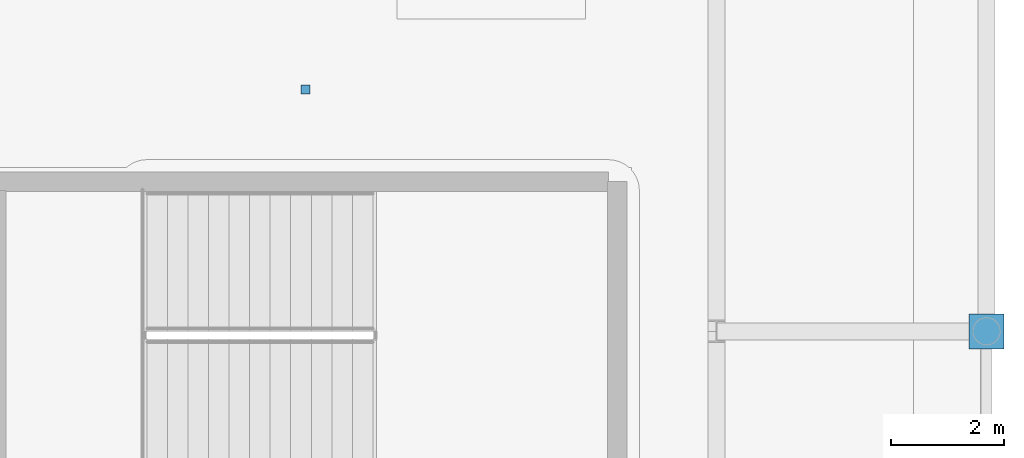
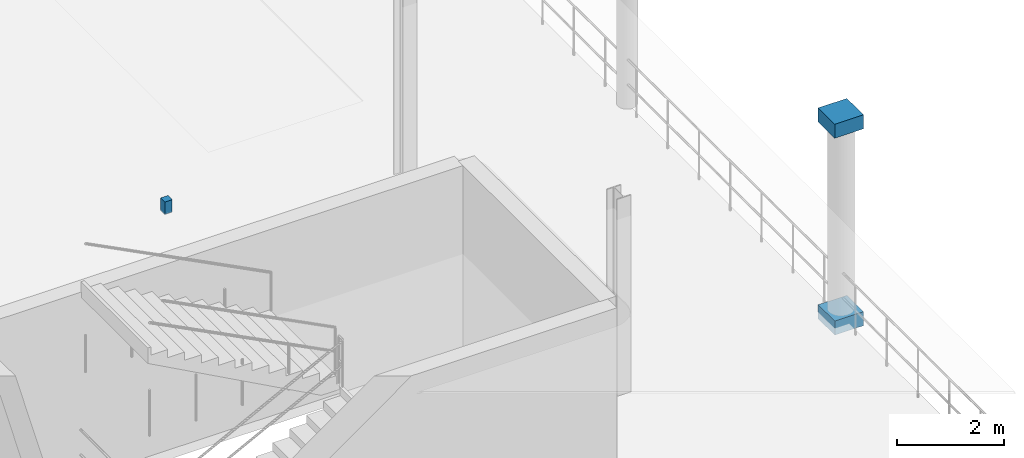
# One storey, part 170 of 193: 3 discrete accessories.
"""IFC4 building model written with IfcOpenShell, lengths in metres."""

from ifc_helpers import new_model, si_unit, direction, frame, origin, origin_2d, place, context, subcontext, project, spatial, rectangle, extrude, material, type_object, element, save


model = new_model("IFC4")

# Units and contexts
model_context = context("Model", 3, precision=1e-05, world=origin(), true_north=direction((0.0, 1.0)))
body_context = subcontext(model_context, "Body", "Model", "MODEL_VIEW")
ifc_project = project(units=[si_unit("LENGTHUNIT", "METRE"), si_unit("AREAUNIT", "SQUARE_METRE"), si_unit("VOLUMEUNIT", "CUBIC_METRE"), si_unit("PLANEANGLEUNIT", "RADIAN"), si_unit("MASSUNIT", "GRAM", prefix="KILO")], contexts=[model_context])

# Site, building, storey
site_placement = place(None, origin())
site = spatial("IfcSite", under=ifc_project, at=site_placement, CompositionType="ELEMENT")
building_placement = place(site_placement, origin())
building = spatial("IfcBuilding", under=site, at=building_placement, Name="Danafjord Basin Convention Centre", CompositionType="ELEMENT")
storey_placement = place(building_placement, frame((0.0, 0.0, 11.39990234375)))
storey = spatial("IfcBuildingStorey", under=building, at=storey_placement, Name="L02", CompositionType="ELEMENT", Elevation=11.39990234375)

# Discrete accessories
ifc_material_1 = material(Name="Stainless steel EN 1.4404", Category="steel")
discrete_accessory_type_1 = type_object("IfcDiscreteAccessoryType", Name="ACC-FIN-BRK", PredefinedType="BRACKET", material=ifc_material_1)
discrete_accessory_placement = place(storey_placement, frame((203.89990234375, 60.300048828125, 4.01025390625), z_axis=(0.0, 0.0, 1.0), x_axis=(1.0, 0.0, 0.0)))
element("IfcDiscreteAccessory", 1, at=discrete_accessory_placement, inside=storey, type_object=discrete_accessory_type_1, Name="Suspended ceiling steel hanger assembly", PredefinedType="BRACKET", context=body_context, shape_type="SweptSolid", body=[
    extrude(rectangle(XDim=0.159912109375, YDim=0.159912109375, at=origin_2d()), origin(), (0.0, 0.0, 1.0), 0.280029296875),
])
ifc_material_2 = material(Name="Steel S355", Category="steel")
discrete_accessory_type_2 = type_object("IfcDiscreteAccessoryType", Name="ACC-SF-HUB", PredefinedType="BRACKET", material=ifc_material_2)
for number, where, z_axis, x_axis, name in (
    (2, (216.0, 56.0, -0.16015625), (0.0, 0.0, 1.0), (1.0, 0.0, 0.0), "Tubular steel column transition collar"),
    (3, (216.0, 56.0, 4.33984375), (0.0, 0.0, 1.0), (1.0, 0.0, 0.0), "Tubular steel column top cap plate"),
):
    element("IfcDiscreteAccessory", number, at=place(storey_placement, frame(where, z_axis=z_axis, x_axis=x_axis)), inside=storey, type_object=discrete_accessory_type_2, Name=name, PredefinedType="BRACKET", context=body_context, shape_type="SweptSolid", body=[
        extrude(rectangle(XDim=0.6201171875, YDim=0.6201171875, at=origin_2d()), origin(), (0.0, 0.0, 1.0), 0.320068359375),
    ])

save(model, "model.ifc")
